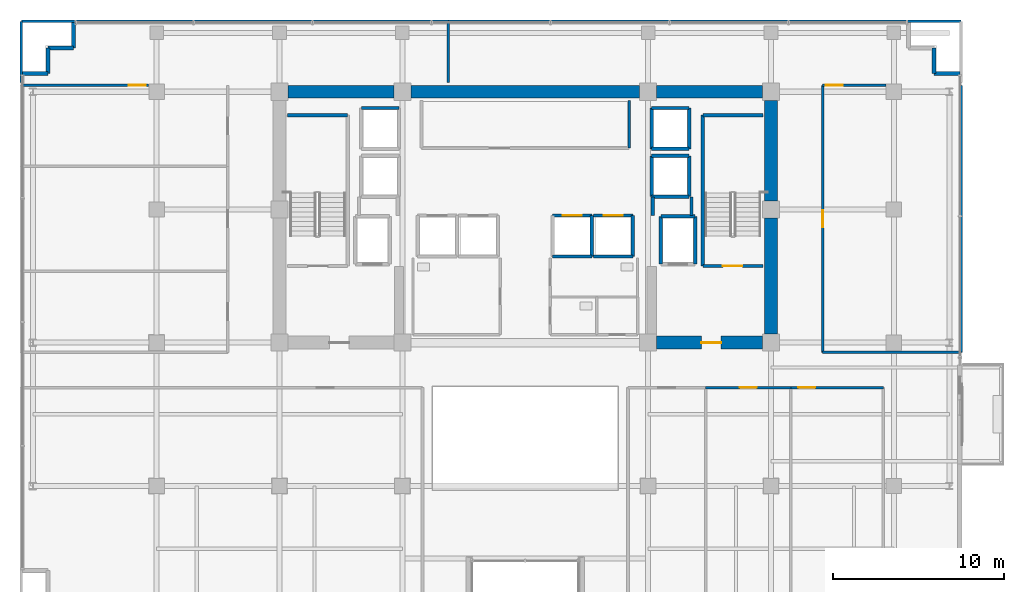
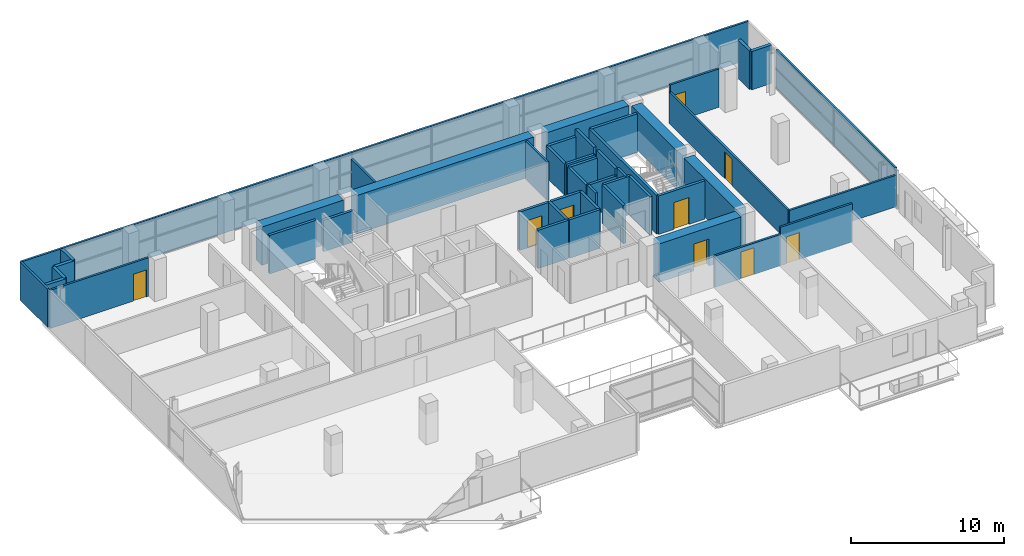
# One storey, part 21 of 27: 48 walls, 9 doors, 9 openings.
"""IFC4 building model written with IfcOpenShell, lengths in metres."""

from ifc_helpers import new_model, si_unit, direction, frame, frame_2d, origin, place, context, subcontext, project, spatial, rectangle, extrude, source, transform, mapped, material, layer, layer_set, type_object, element, fill, save


model = new_model("IFC4")

# Units and contexts
model_context = context("Model", 3, precision=1e-05, world=origin(), true_north=direction((0.0, 1.0)))
body_context = subcontext(model_context, "Body", "Model", "MODEL_VIEW")
ifc_project = project(units=[si_unit("LENGTHUNIT", "METRE"), si_unit("AREAUNIT", "SQUARE_METRE"), si_unit("VOLUMEUNIT", "CUBIC_METRE"), si_unit("PLANEANGLEUNIT", "RADIAN"), si_unit("MASSUNIT", "GRAM", prefix="KILO")], contexts=[model_context])

# Site, building, storey
site_placement = place(None, origin())
site = spatial("IfcSite", under=ifc_project, at=site_placement, CompositionType="ELEMENT")
building_placement = place(site_placement, origin())
building = spatial("IfcBuilding", under=site, at=building_placement, Name="Zarnakvel Exchange Tower", CompositionType="ELEMENT")
storey_placement = place(building_placement, frame((0.0, 0.0, 106.60009765625)))
storey = spatial("IfcBuildingStorey", under=building, at=storey_placement, Name="L29", CompositionType="ELEMENT", Elevation=106.60009765625)

# Walls
ifc_material_1 = material(Name="Concrete C60/75", Category="concrete")
ifc_layer_1 = layer(ifc_material_1, 0.75)
ifc_layer_set_1 = layer_set([ifc_layer_1], Name="Concrete C60/75")
wall_type_1 = type_object("IfcWallType", Name="CW-C3", PredefinedType="SHEAR", material=ifc_layer_set_1)
wall_1_placement = place(storey_placement, frame((-13.89990234375, 13.5, 0.0), z_axis=(0.0, 0.0, 1.0), x_axis=(1.0, 0.0, 0.0)))
element("IfcWall", 1, at=wall_1_placement, inside=storey, type_object=wall_type_1, Name="L29 Rear Core Shear Wall N1 (CW-C3)", PredefinedType="SHEAR", context=body_context, shape_type="SweptSolid", body=[
    extrude(rectangle(XDim=6.199951171875, YDim=0.75, at=frame_2d((3.10009765625, 0.0))), origin(), (0.0, 0.0, 1.0), 3.074951171875),
])
wall_2_placement = place(storey_placement, frame((-6.699951171875, 13.5, 0.0), z_axis=(0.0, 0.0, 1.0), x_axis=(1.0, 0.0, 0.0)))
element("IfcWall", 2, at=wall_2_placement, inside=storey, type_object=wall_type_1, Name="L29 Rear Core Shear Wall N2 (CW-C3)", PredefinedType="SHEAR", context=body_context, shape_type="SweptSolid", body=[
    extrude(rectangle(XDim=13.39990234375, YDim=0.75, at=frame_2d((6.699951171875, 0.0))), origin(), (0.0, 0.0, 1.0), 3.074951171875),
])
wall_3_placement = place(storey_placement, frame((7.699951171875, 13.5, 0.0), z_axis=(0.0, 0.0, 1.0), x_axis=(1.0, 0.0, 0.0)))
element("IfcWall", 3, at=wall_3_placement, inside=storey, type_object=wall_type_1, Name="L29 Rear Core Shear Wall N3 (CW-C3)", PredefinedType="SHEAR", context=body_context, shape_type="SweptSolid", body=[
    extrude(rectangle(XDim=6.199951171875, YDim=0.75, at=frame_2d((3.10009765625, 0.0))), origin(), (0.0, 0.0, 1.0), 3.074951171875),
])
wall_4_placement = place(storey_placement, frame((14.39990234375, -0.699951171875, 0.0), z_axis=(0.0, 0.0, 1.0), x_axis=(0.0, 1.0, 0.0)))
element("IfcWall", 4, at=wall_4_placement, inside=storey, type_object=wall_type_1, Name="L29 Rear Core Shear Wall E1 (CW-C3)", PredefinedType="SHEAR", context=body_context, shape_type="SweptSolid", body=[
    extrude(rectangle(XDim=6.800048828125, YDim=0.75, at=frame_2d((3.39990234375, 0.0))), origin(), (0.0, 0.0, 1.0), 3.074951171875),
])
wall_5_placement = place(storey_placement, frame((14.39990234375, 7.10009765625, 0.0), z_axis=(0.0, 0.0, 1.0), x_axis=(0.0, 1.0, 0.0)))
element("IfcWall", 5, at=wall_5_placement, inside=storey, type_object=wall_type_1, Name="L29 Rear Core Shear Wall E2 (CW-C3)", PredefinedType="SHEAR", context=body_context, shape_type="SweptSolid", body=[
    extrude(rectangle(XDim=5.89990234375, YDim=0.75, at=frame_2d((2.949951171875, 0.0))), origin(), (0.0, 0.0, 1.0), 3.074951171875),
])

# Wall, opening, door
wall_6_placement = place(storey_placement, frame((13.89990234375, -1.199951171875, 0.0), z_axis=(0.0, 0.0, 1.0), x_axis=(-1.0, 0.0, 0.0)))
wall_6 = element("IfcWall", 6, at=wall_6_placement, inside=storey, type_object=wall_type_1, Name="L29 Rear Core Shear Wall SE (CW-C3)", PredefinedType="SHEAR", context=body_context, shape_type="SweptSolid", body=[
    extrude(rectangle(XDim=6.199951171875, YDim=0.75, at=frame_2d((3.10009765625, 0.0))), origin(), (0.0, 0.0, 1.0), 3.074951171875),
])
opening_1_placement = place(wall_6_placement, frame((2.425048828125, 0.0, 0.0)))
opening_1 = element("IfcOpeningElement", 7, at=opening_1_placement, cuts=wall_6, Name="Opening D-L29-04", PredefinedType="OPENING", context=body_context, shape_type="SweptSolid", body=[
    extrude(rectangle(XDim=1.14990234375, YDim=2.14990234375, at=frame_2d((0.574951171875, 1.074951171875))), frame((0.0, 0.385009765625, 0.0), z_axis=(0.0, -1.0, 0.0), x_axis=(1.0, 0.0, 0.0)), (0.0, 0.0, 1.0), 0.77001953125),
])
ifc_material_2 = material(Name="Painted Galvanised Steel S355", Category="steel")
door_type_1 = type_object("IfcDoorType", Name="DT-04", OperationType="NOTDEFINED", PredefinedType="DOOR", material=ifc_material_2)
shared_shape_1 = source(origin(), body_context, "Body", "SweptSolid", [
    extrude(rectangle(XDim=1.14990234375, YDim=2.14990234375, at=frame_2d((0.574951171875, 1.074951171875))), frame((0.0, 0.02490234375, 0.0), z_axis=(0.0, -1.0, 0.0), x_axis=(1.0, 0.0, 0.0)), (0.0, 0.0, 1.0), 0.050048828125),
])
door_1_placement = place(opening_1_placement, origin())
door_1 = element("IfcDoor", 8, at=door_1_placement, inside=storey, type_object=door_type_1, Name="L29 Firefighting Lobby East Door D-L29-04", OperationType="SINGLE_SWING_RIGHT", OverallHeight=2.14990234375, OverallWidth=1.14990234375, PredefinedType="DOOR", context=body_context, shape_type="MappedRepresentation", body=[
    mapped(shared_shape_1, transform((0.0, 0.0, 0.0), x_axis=(1.0, 0.0, 0.0), y_axis=(0.0, 1.0, 0.0), z_axis=(0.0, 0.0, 1.0), scale=1.0)),
])
fill(opening_1, door_1)

# Walls
ifc_material_3 = material(Name="Precast concrete C40/50", Category="concrete")
ifc_layer_2 = layer(ifc_material_3, 0.239990234375)
ifc_layer_set_2 = layer_set([ifc_layer_2], Name="Precast concrete C40/50")
wall_type_2 = type_object("IfcWallType", Name="EW-02", PredefinedType="SOLIDWALL", material=ifc_layer_set_2)
for number, where, z_axis, x_axis, name in (
    (9, (-27.9599609375, 14.56005859375, 0.0), (0.0, 0.0, 1.0), (-1.0, 0.0, 0.0), "L29 Exterior Precast Spandrel Wall EWC-L29-01 (EW-02)"),
    (10, (-27.9599609375, 16.06005859375, 0.0), (0.0, 0.0, 1.0), (0.0, -1.0, 0.0), "L29 Exterior Precast Spandrel Wall EWC-L29-02 (EW-02)"),
    (11, (-26.4599609375, 16.06005859375, 0.0), (0.0, 0.0, 1.0), (-1.0, 0.0, 0.0), "L29 Exterior Precast Spandrel Wall EWC-L29-03 (EW-02)"),
    (12, (-26.4599609375, 17.56005859375, 0.0), (0.0, 0.0, 1.0), (0.0, -1.0, 0.0), "L29 Exterior Precast Spandrel Wall EWC-L29-04 (EW-02)"),
    (13, (23.9599609375, 14.56005859375, 0.0), (0.0, 0.0, 1.0), (0.0, 1.0, 0.0), "L29 Exterior Precast Spandrel Wall EWC-L29-07 (EW-02)"),
    (14, (25.4599609375, 14.56005859375, 0.0), (0.0, 0.0, 1.0), (-1.0, 0.0, 0.0), "L29 Exterior Precast Spandrel Wall EWC-L29-08 (EW-02)"),
):
    element("IfcWall", number, at=place(storey_placement, frame(where, z_axis=z_axis, x_axis=x_axis)), inside=storey, type_object=wall_type_2, Name=name, PredefinedType="SOLIDWALL", context=body_context, shape_type="SweptSolid", body=[
        extrude(rectangle(XDim=1.5, YDim=0.239990234375, at=frame_2d((0.75, 0.0))), origin(), (0.0, 0.0, 1.0), 3.074951171875),
    ])
ifc_material_4 = material(Name="Fire-Rated Gypsum Stud Partition", Category="gypsum")
ifc_layer_3 = layer(ifc_material_4, 0.14990234375)
ifc_layer_set_3 = layer_set([ifc_layer_3], Name="Fire-Rated Gypsum Stud Partition")
wall_type_3 = type_object("IfcWallType", Name="PT-01", PredefinedType="PARTITIONING", material=ifc_layer_set_3)
wall_7_placement = place(storey_placement, frame((6.080078125, 13.0, 0.0), z_axis=(0.0, 0.0, 1.0), x_axis=(0.0, -1.0, 0.0)))
element("IfcWall", 15, at=wall_7_placement, inside=storey, type_object=wall_type_3, Name="L29 Partition Wall PWALL-L29-013 (PT-01)", PredefinedType="PARTITIONING", context=body_context, shape_type="SweptSolid", body=[
    extrude(rectangle(XDim=2.800048828125, YDim=0.14990234375, at=frame_2d((1.39990234375, 0.0))), origin(), (0.0, 0.0, 1.0), 3.074951171875),
])

# Wall, opening, door
wall_8_placement = place(storey_placement, frame((10.568359375, -3.830078125, 0.0), z_axis=(0.0, 0.0, 1.0), x_axis=(1.0, 0.0, 0.0)))
wall_8 = element("IfcWall", 16, at=wall_8_placement, inside=storey, type_object=wall_type_3, Name="L29 Partition Wall PWALL-L29-034 (PT-01)", PredefinedType="PARTITIONING", context=body_context, shape_type="SweptSolid", body=[
    extrude(rectangle(XDim=4.9873046875, YDim=0.14990234375, at=frame_2d((2.49365234375, 0.0))), origin(), (0.0, 0.0, 1.0), 2.514892578125),
])
opening_2_placement = place(wall_8_placement, frame((2.003662109375, 0.0, 0.0)))
opening_2 = element("IfcOpeningElement", 17, at=opening_2_placement, cuts=wall_8, Name="Opening D-L29-12", PredefinedType="OPENING", context=body_context, shape_type="SweptSolid", body=[
    extrude(rectangle(XDim=0.97998046875, YDim=2.14990234375, at=frame_2d((0.489990234375, 1.074951171875))), frame((0.0, 0.0849609375, 0.0), z_axis=(0.0, -1.0, 0.0), x_axis=(1.0, 0.0, 0.0)), (0.0, 0.0, 1.0), 0.169921875),
])
ifc_material_5 = material(Name="Timber Acoustic Veneer", Category="wood")
door_type_2 = type_object("IfcDoorType", Name="DT-05", OperationType="NOTDEFINED", PredefinedType="DOOR", material=ifc_material_5)
shared_shape_2 = source(origin(), body_context, "Body", "SweptSolid", [
    extrude(rectangle(XDim=0.97998046875, YDim=2.14990234375, at=frame_2d((0.489990234375, 1.074951171875))), frame((0.0, 0.02490234375, 0.0), z_axis=(0.0, -1.0, 0.0), x_axis=(1.0, 0.0, 0.0)), (0.0, 0.0, 1.0), 0.050048828125),
])
door_2_placement = place(opening_2_placement, origin())
door_2 = element("IfcDoor", 18, at=door_2_placement, inside=storey, type_object=door_type_2, Name="L29 Executive Suite Door D-L29-12", OperationType="SINGLE_SWING_RIGHT", OverallHeight=2.14990234375, OverallWidth=0.97998046875, PredefinedType="DOOR", context=body_context, shape_type="MappedRepresentation", body=[
    mapped(shared_shape_2, transform((0.0, 0.0, 0.0), x_axis=(1.0, 0.0, 0.0), y_axis=(0.0, 1.0, 0.0), z_axis=(0.0, 0.0, 1.0), scale=1.0)),
])
fill(opening_2, door_2)

wall_9_placement = place(storey_placement, frame((15.5556640625, -3.830078125, 0.0), z_axis=(0.0, 0.0, 1.0), x_axis=(1.0, 0.0, 0.0)))
wall_9 = element("IfcWall", 19, at=wall_9_placement, inside=storey, type_object=wall_type_3, Name="L29 Partition Wall PWALL-L29-037 (PT-01)", PredefinedType="PARTITIONING", context=body_context, shape_type="SweptSolid", body=[
    extrude(rectangle(XDim=5.426025390625, YDim=0.14990234375, at=frame_2d((2.712890625, 0.0))), origin(), (0.0, 0.0, 1.0), 3.074951171875),
])
opening_3_placement = place(wall_9_placement, frame((0.447509765625, 0.0, 0.0)))
opening_3 = element("IfcOpeningElement", 20, at=opening_3_placement, cuts=wall_9, Name="Opening D-L29-13", PredefinedType="OPENING", context=body_context, shape_type="SweptSolid", body=[
    extrude(rectangle(XDim=0.97998046875, YDim=2.14990234375, at=frame_2d((0.489990234375, 1.074951171875))), frame((0.0, 0.0849609375, 0.0), z_axis=(0.0, -1.0, 0.0), x_axis=(1.0, 0.0, 0.0)), (0.0, 0.0, 1.0), 0.169921875),
])
door_3_placement = place(opening_3_placement, origin())
door_3 = element("IfcDoor", 21, at=door_3_placement, inside=storey, type_object=door_type_2, Name="L29 Staff Pantry Door D-L29-13", OperationType="SINGLE_SWING_LEFT", OverallHeight=2.14990234375, OverallWidth=0.97998046875, PredefinedType="DOOR", context=body_context, shape_type="MappedRepresentation", body=[
    mapped(shared_shape_2, transform((0.0, 0.0, 0.0), x_axis=(1.0, 0.0, 0.0), y_axis=(0.0, 1.0, 0.0), z_axis=(0.0, 0.0, 1.0), scale=1.0)),
])
fill(opening_3, door_3)

wall_10_placement = place(storey_placement, frame((-29.530029296875, 13.8798828125, 0.0), z_axis=(0.0, 0.0, 1.0), x_axis=(1.0, 0.0, 0.0)))
wall_10 = element("IfcWall", 22, at=wall_10_placement, inside=storey, type_object=wall_type_3, Name="L29 Partition Wall PWALL-L29-046 (PT-01)", PredefinedType="PARTITIONING", context=body_context, shape_type="SweptSolid", body=[
    extrude(rectangle(XDim=7.4599609375, YDim=0.14990234375, at=frame_2d((3.72998046875, 0.0))), origin(), (0.0, 0.0, 1.0), 3.074951171875),
])
opening_4_placement = place(wall_10_placement, frame((6.300048828125, 0.0, 0.0)))
opening_4 = element("IfcOpeningElement", 23, at=opening_4_placement, cuts=wall_10, Name="Opening D-L29-18", PredefinedType="OPENING", context=body_context, shape_type="SweptSolid", body=[
    extrude(rectangle(XDim=0.97998046875, YDim=2.14990234375, at=frame_2d((0.489990234375, 1.074951171875))), frame((0.0, 0.0849609375, 0.0), z_axis=(0.0, -1.0, 0.0), x_axis=(1.0, 0.0, 0.0)), (0.0, 0.0, 1.0), 0.169921875),
])
door_4_placement = place(opening_4_placement, origin())
door_4 = element("IfcDoor", 24, at=door_4_placement, inside=storey, type_object=door_type_2, Name="L29 Compliance Office Door D-L29-18", OperationType="SINGLE_SWING_RIGHT", OverallHeight=2.14990234375, OverallWidth=0.97998046875, PredefinedType="DOOR", context=body_context, shape_type="MappedRepresentation", body=[
    mapped(shared_shape_2, transform((0.0, 0.0, 0.0), x_axis=(1.0, 0.0, 0.0), y_axis=(0.0, 1.0, 0.0), z_axis=(0.0, 0.0, 1.0), scale=1.0)),
])
fill(opening_4, door_4)

# Wall
wall_11_placement = place(storey_placement, frame((25.530029296875, -1.77001953125, 0.0), z_axis=(0.0, 0.0, 1.0), x_axis=(-1.0, 0.0, 0.0)))
element("IfcWall", 25, at=wall_11_placement, inside=storey, type_object=wall_type_3, Name="L29 Partition Wall PWALL-L29-049 (PT-01)", PredefinedType="PARTITIONING", context=body_context, shape_type="SweptSolid", body=[
    extrude(rectangle(XDim=8.10009765625, YDim=0.14990234375, at=frame_2d((4.050048828125, 0.0))), origin(), (0.0, 0.0, 1.0), 2.514892578125),
])

# Wall, opening, door
wall_12_placement = place(storey_placement, frame((17.429931640625, 13.8798828125, 0.0), z_axis=(0.0, 0.0, 1.0), x_axis=(1.0, 0.0, 0.0)))
wall_12 = element("IfcWall", 26, at=wall_12_placement, inside=storey, type_object=wall_type_3, Name="L29 Partition Wall PWALL-L29-050 (PT-01)", PredefinedType="PARTITIONING", context=body_context, shape_type="SweptSolid", body=[
    extrude(rectangle(XDim=3.699951171875, YDim=0.14990234375, at=frame_2d((1.85009765625, 0.0))), origin(), (0.0, 0.0, 1.0), 3.074951171875),
])
opening_5_placement = place(wall_12_placement, frame((0.179931640625, 0.0, 0.0)))
opening_5 = element("IfcOpeningElement", 27, at=opening_5_placement, cuts=wall_12, Name="Opening D-L29-19", PredefinedType="OPENING", context=body_context, shape_type="SweptSolid", body=[
    extrude(rectangle(XDim=0.97998046875, YDim=2.14990234375, at=frame_2d((0.489990234375, 1.074951171875))), frame((0.0, 0.0849609375, 0.0), z_axis=(0.0, -1.0, 0.0), x_axis=(1.0, 0.0, 0.0)), (0.0, 0.0, 1.0), 0.169921875),
])
door_5_placement = place(opening_5_placement, origin())
door_5 = element("IfcDoor", 28, at=door_5_placement, inside=storey, type_object=door_type_2, Name="L29 Client Lounge Door D-L29-19", OperationType="SINGLE_SWING_LEFT", OverallHeight=2.14990234375, OverallWidth=0.97998046875, PredefinedType="DOOR", context=body_context, shape_type="MappedRepresentation", body=[
    mapped(shared_shape_2, transform((0.0, 0.0, 0.0), x_axis=(1.0, 0.0, 0.0), y_axis=(0.0, 1.0, 0.0), z_axis=(0.0, 0.0, 1.0), scale=1.0)),
])
fill(opening_5, door_5)

wall_13_placement = place(storey_placement, frame((17.429931640625, -1.77001953125, 0.0), z_axis=(0.0, 0.0, 1.0), x_axis=(0.0, 1.0, 0.0)))
wall_13 = element("IfcWall", 29, at=wall_13_placement, inside=storey, type_object=wall_type_3, Name="L29 Partition Wall PWALL-L29-051 (PT-01)", PredefinedType="PARTITIONING", context=body_context, shape_type="SweptSolid", body=[
    extrude(rectangle(XDim=15.64990234375, YDim=0.14990234375, at=frame_2d((7.824951171875, 0.0))), origin(), (0.0, 0.0, 1.0), 2.514892578125),
])
opening_6_placement = place(wall_13_placement, frame((7.3349609375, 0.0, 0.0)))
opening_6 = element("IfcOpeningElement", 30, at=opening_6_placement, cuts=wall_13, Name="Opening D-L29-17", PredefinedType="OPENING", context=body_context, shape_type="SweptSolid", body=[
    extrude(rectangle(XDim=0.97998046875, YDim=2.14990234375, at=frame_2d((0.489990234375, 1.074951171875))), frame((0.0, 0.0849609375, 0.0), z_axis=(0.0, -1.0, 0.0), x_axis=(1.0, 0.0, 0.0)), (0.0, 0.0, 1.0), 0.169921875),
])
door_6_placement = place(opening_6_placement, origin())
door_6 = element("IfcDoor", 31, at=door_6_placement, inside=storey, type_object=door_type_2, Name="L29 Staff Pantry Door D-L29-17", OperationType="SINGLE_SWING_LEFT", OverallHeight=2.14990234375, OverallWidth=0.97998046875, PredefinedType="DOOR", context=body_context, shape_type="MappedRepresentation", body=[
    mapped(shared_shape_2, transform((0.0, 0.0, 0.0), x_axis=(1.0, 0.0, 0.0), y_axis=(0.0, 1.0, 0.0), z_axis=(0.0, 0.0, 1.0), scale=1.0)),
])
fill(opening_6, door_6)

# Walls
wall_14_placement = place(storey_placement, frame((25.530029296875, 13.8798828125, 0.0), z_axis=(0.0, 0.0, 1.0), x_axis=(0.0, -1.0, 0.0)))
element("IfcWall", 32, at=wall_14_placement, inside=storey, type_object=wall_type_3, Name="L29 Partition Wall PWALL-L29-052 (PT-01)", PredefinedType="PARTITIONING", context=body_context, shape_type="SweptSolid", body=[
    extrude(rectangle(XDim=15.64990234375, YDim=0.14990234375, at=frame_2d((7.824951171875, 0.0))), origin(), (0.0, 0.0, 1.0), 3.074951171875),
])
wall_15_placement = place(storey_placement, frame((-29.530029296875, 17.6298828125, 0.0), z_axis=(0.0, 0.0, 1.0), x_axis=(1.0, 0.0, 0.0)))
element("IfcWall", 33, at=wall_15_placement, inside=storey, type_object=wall_type_3, Name="L29 Partition Wall PWALL-L29-053 (PT-01)", PredefinedType="PARTITIONING", context=body_context, shape_type="SweptSolid", body=[
    extrude(rectangle(XDim=25.030029296875, YDim=0.14990234375, at=frame_2d((12.51513671875, 0.0))), origin(), (0.0, 0.0, 1.0), 3.074951171875),
])
wall_16_placement = place(storey_placement, frame((-29.530029296875, 14.030029296875, 0.0), z_axis=(0.0, 0.0, 1.0), x_axis=(0.0, 1.0, 0.0)))
element("IfcWall", 34, at=wall_16_placement, inside=storey, type_object=wall_type_3, Name="L29 Partition Wall PWALL-L29-054 (PT-01)", PredefinedType="PARTITIONING", context=body_context, shape_type="SweptSolid", body=[
    extrude(rectangle(XDim=3.599853515625, YDim=0.14990234375, at=frame_2d((1.7998046875, 0.0))), origin(), (0.0, 0.0, 1.0), 3.074951171875),
])
wall_17_placement = place(storey_placement, frame((-4.5, 17.6298828125, 0.0), z_axis=(0.0, 0.0, 1.0), x_axis=(0.0, -1.0, 0.0)))
element("IfcWall", 35, at=wall_17_placement, inside=storey, type_object=wall_type_3, Name="L29 Partition Wall PWALL-L29-055 (PT-01)", PredefinedType="PARTITIONING", context=body_context, shape_type="SweptSolid", body=[
    extrude(rectangle(XDim=3.599853515625, YDim=0.14990234375, at=frame_2d((1.7998046875, 0.0))), origin(), (0.0, 0.0, 1.0), 2.56494140625),
])
wall_18_placement = place(storey_placement, frame((-4.5, 17.6298828125, 0.0), z_axis=(0.0, 0.0, 1.0), x_axis=(1.0, 0.0, 0.0)))
element("IfcWall", 36, at=wall_18_placement, inside=storey, type_object=wall_type_3, Name="L29 Partition Wall PWALL-L29-056 (PT-01)", PredefinedType="PARTITIONING", context=body_context, shape_type="SweptSolid", body=[
    extrude(rectangle(XDim=30.030029296875, YDim=0.14990234375, at=frame_2d((15.01513671875, 0.0))), origin(), (0.0, 0.0, 1.0), 3.074951171875),
])
ifc_layer_4 = layer(ifc_material_4, 0.179931640625)
ifc_layer_set_4 = layer_set([ifc_layer_4], Name="Fire-Rated Gypsum Stud Partition")
wall_type_4 = type_object("IfcWallType", Name="PT-02", PredefinedType="PARTITIONING", material=ifc_layer_set_4)
wall_19_placement = place(storey_placement, frame((7.469970703125, 6.239990234375, 0.0), z_axis=(0.0, 0.0, 1.0), x_axis=(0.0, 1.0, 0.0)))
element("IfcWall", 37, at=wall_19_placement, inside=storey, type_object=wall_type_4, Name="L29 Partition Wall PWALL-L29-009 (PT-02)", PredefinedType="PARTITIONING", context=body_context, shape_type="SweptSolid", body=[
    extrude(rectangle(XDim=1.090087890625, YDim=0.179931640625, at=frame_2d((0.544921875, 0.0))), origin(), (0.0, 0.0, 1.0), 2.514892578125),
])
wall_20_placement = place(storey_placement, frame((9.72998046875, 7.330078125, 0.0), z_axis=(0.0, 0.0, 1.0), x_axis=(0.0, -1.0, 0.0)))
element("IfcWall", 38, at=wall_20_placement, inside=storey, type_object=wall_type_4, Name="L29 Partition Wall PWALL-L29-010 (PT-02)", PredefinedType="PARTITIONING", context=body_context, shape_type="SweptSolid", body=[
    extrude(rectangle(XDim=1.090087890625, YDim=0.179931640625, at=frame_2d((0.544921875, 0.0))), origin(), (0.0, 0.0, 1.0), 3.074951171875),
])
ifc_material_6 = material(Name="Concrete C40/50", Category="concrete")
ifc_layer_5 = layer(ifc_material_6, 0.199951171875)
ifc_layer_set_5 = layer_set([ifc_layer_5], Name="Concrete C40/50")
wall_type_5 = type_object("IfcWallType", Name="SW-01", PredefinedType="SOLIDWALL", material=ifc_layer_set_5)
wall_21_placement = place(storey_placement, frame((7.949951171875, 6.199951171875, 0.0), z_axis=(0.0, 0.0, 1.0), x_axis=(1.0, 0.0, 0.0)))
element("IfcWall", 39, at=wall_21_placement, inside=storey, type_object=wall_type_5, Name="L29 FL-02 Hoistway Wall North", PredefinedType="SOLIDWALL", context=body_context, shape_type="SweptSolid", body=[
    extrude(rectangle(XDim=2.0, YDim=0.199951171875, at=frame_2d((1.0, 0.0))), origin(), (0.0, 0.0, 1.0), 3.074951171875),
])
for number, where, z_axis, x_axis, name in (
    (40, (7.949951171875, 3.39990234375, 0.0), (0.0, 0.0, 1.0), (0.0, 1.0, 0.0), "L29 FL-02 Hoistway Wall West"),
    (41, (9.949951171875, 6.199951171875, 0.0), (0.0, 0.0, 1.0), (0.0, -1.0, 0.0), "L29 FL-02 Hoistway Wall East"),
):
    element("IfcWall", number, at=place(storey_placement, frame(where, z_axis=z_axis, x_axis=x_axis)), inside=storey, type_object=wall_type_5, Name=name, PredefinedType="SOLIDWALL", context=body_context, shape_type="SweptSolid", body=[
        extrude(rectangle(XDim=2.800048828125, YDim=0.199951171875, at=frame_2d((1.39990234375, 0.0))), origin(), (0.0, 0.0, 1.0), 3.074951171875),
    ])
wall_22_placement = place(storey_placement, frame((3.89990234375, 3.85009765625, 0.0), z_axis=(0.0, 0.0, 1.0), x_axis=(-1.0, 0.0, 0.0)))
element("IfcWall", 42, at=wall_22_placement, inside=storey, type_object=wall_type_5, Name="L29 PL-07 Hoistway Wall South", PredefinedType="SOLIDWALL", context=body_context, shape_type="SweptSolid", body=[
    extrude(rectangle(XDim=2.2998046875, YDim=0.199951171875, at=frame_2d((1.14990234375, 0.0))), origin(), (0.0, 0.0, 1.0), 3.074951171875),
])

# Wall, opening, door
wall_23_placement = place(storey_placement, frame((1.60009765625, 6.25, 0.0), z_axis=(0.0, 0.0, 1.0), x_axis=(1.0, 0.0, 0.0)))
wall_23 = element("IfcWall", 43, at=wall_23_placement, inside=storey, type_object=wall_type_5, Name="L29 PL-07 Hoistway Wall North", PredefinedType="SOLIDWALL", context=body_context, shape_type="SweptSolid", body=[
    extrude(rectangle(XDim=2.2998046875, YDim=0.199951171875, at=frame_2d((1.14990234375, 0.0))), origin(), (0.0, 0.0, 1.0), 3.074951171875),
])
opening_7_placement = place(wall_23_placement, frame((0.60009765625, 0.0, 0.0)))
opening_7 = element("IfcOpeningElement", 44, at=opening_7_placement, cuts=wall_23, Name="Opening LD-PL-07-L29", PredefinedType="OPENING", context=body_context, shape_type="SweptSolid", body=[
    extrude(rectangle(XDim=1.10009765625, YDim=2.199951171875, at=frame_2d((0.550048828125, 1.10009765625))), frame((0.0, 0.10986328125, 0.0), z_axis=(0.0, -1.0, 0.0), x_axis=(1.0, 0.0, 0.0)), (0.0, 0.0, 1.0), 0.219970703125),
])
ifc_material_7 = material(Name="Architectural Bronze Anodised Aluminium", Category="aluminium")
door_type_3 = type_object("IfcDoorType", Name="LDT-02", OperationType="NOTDEFINED", PredefinedType="DOOR", material=ifc_material_7)
shared_shape_3 = source(origin(), body_context, "Body", "SweptSolid", [
    extrude(rectangle(XDim=1.10009765625, YDim=2.199951171875, at=frame_2d((0.550048828125, 1.10009765625))), frame((0.0, 0.02490234375, 0.0), z_axis=(0.0, -1.0, 0.0), x_axis=(1.0, 0.0, 0.0)), (0.0, 0.0, 1.0), 0.050048828125),
])
door_7_placement = place(opening_7_placement, origin())
door_7 = element("IfcDoor", 45, at=door_7_placement, inside=storey, type_object=door_type_3, Name="L29 PL-07 Lift Landing Door LD-PL-07-L29", OperationType="DOUBLE_DOOR_SLIDING", OverallHeight=2.199951171875, OverallWidth=1.10009765625, PredefinedType="DOOR", context=body_context, shape_type="MappedRepresentation", body=[
    mapped(shared_shape_3, transform((0.0, 0.0, 0.0), x_axis=(1.0, 0.0, 0.0), y_axis=(0.0, 1.0, 0.0), z_axis=(0.0, 0.0, 1.0), scale=1.0)),
])
fill(opening_7, door_7)

# Walls
wall_24_placement = place(storey_placement, frame((3.89990234375, 6.25, 0.0), z_axis=(0.0, 0.0, 1.0), x_axis=(0.0, -1.0, 0.0)))
element("IfcWall", 46, at=wall_24_placement, inside=storey, type_object=wall_type_5, Name="L29 PL-07 Hoistway Wall East", PredefinedType="SOLIDWALL", context=body_context, shape_type="SweptSolid", body=[
    extrude(rectangle(XDim=2.39990234375, YDim=0.199951171875, at=frame_2d((1.199951171875, 0.0))), origin(), (0.0, 0.0, 1.0), 3.074951171875),
])
wall_25_placement = place(storey_placement, frame((6.300048828125, 3.85009765625, 0.0), z_axis=(0.0, 0.0, 1.0), x_axis=(-1.0, 0.0, 0.0)))
element("IfcWall", 47, at=wall_25_placement, inside=storey, type_object=wall_type_5, Name="L29 PL-08 Hoistway Wall South", PredefinedType="SOLIDWALL", context=body_context, shape_type="SweptSolid", body=[
    extrude(rectangle(XDim=2.300048828125, YDim=0.199951171875, at=frame_2d((1.14990234375, 0.0))), origin(), (0.0, 0.0, 1.0), 3.074951171875),
])

# Wall, opening, door
wall_26_placement = place(storey_placement, frame((4.0, 6.25, 0.0), z_axis=(0.0, 0.0, 1.0), x_axis=(1.0, 0.0, 0.0)))
wall_26 = element("IfcWall", 48, at=wall_26_placement, inside=storey, type_object=wall_type_5, Name="L29 PL-08 Hoistway Wall North", PredefinedType="SOLIDWALL", context=body_context, shape_type="SweptSolid", body=[
    extrude(rectangle(XDim=2.300048828125, YDim=0.199951171875, at=frame_2d((1.14990234375, 0.0))), origin(), (0.0, 0.0, 1.0), 3.074951171875),
])
opening_8_placement = place(wall_26_placement, frame((0.60009765625, 0.0, 0.0)))
opening_8 = element("IfcOpeningElement", 49, at=opening_8_placement, cuts=wall_26, Name="Opening LD-PL-08-L29", PredefinedType="OPENING", context=body_context, shape_type="SweptSolid", body=[
    extrude(rectangle(XDim=1.10009765625, YDim=2.199951171875, at=frame_2d((0.550048828125, 1.10009765625))), frame((0.0, 0.10986328125, 0.0), z_axis=(0.0, -1.0, 0.0), x_axis=(1.0, 0.0, 0.0)), (0.0, 0.0, 1.0), 0.219970703125),
])
door_8_placement = place(opening_8_placement, origin())
door_8 = element("IfcDoor", 50, at=door_8_placement, inside=storey, type_object=door_type_3, Name="L29 PL-08 Lift Landing Door LD-PL-08-L29", OperationType="DOUBLE_DOOR_SLIDING", OverallHeight=2.199951171875, OverallWidth=1.10009765625, PredefinedType="DOOR", context=body_context, shape_type="MappedRepresentation", body=[
    mapped(shared_shape_3, transform((0.0, 0.0, 0.0), x_axis=(1.0, 0.0, 0.0), y_axis=(0.0, 1.0, 0.0), z_axis=(0.0, 0.0, 1.0), scale=1.0)),
])
fill(opening_8, door_8)

# Walls
wall_27_placement = place(storey_placement, frame((6.300048828125, 6.25, 0.0), z_axis=(0.0, 0.0, 1.0), x_axis=(0.0, -1.0, 0.0)))
element("IfcWall", 51, at=wall_27_placement, inside=storey, type_object=wall_type_5, Name="L29 PL-08 Hoistway Wall East", PredefinedType="SOLIDWALL", context=body_context, shape_type="SweptSolid", body=[
    extrude(rectangle(XDim=2.39990234375, YDim=0.199951171875, at=frame_2d((1.199951171875, 0.0))), origin(), (0.0, 0.0, 1.0), 3.074951171875),
])
for number, where, z_axis, x_axis, name in (
    (52, (-9.60009765625, 12.550048828125, 0.0), (0.0, 0.0, 1.0), (1.0, 0.0, 0.0), "L29 PL-10 Hoistway Wall North"),
    (53, (9.60009765625, 7.35009765625, 0.0), (0.0, 0.0, 1.0), (-1.0, 0.0, 0.0), "L29 PL-11 Hoistway Wall South"),
    (54, (7.39990234375, 9.75, 0.0), (0.0, 0.0, 1.0), (1.0, 0.0, 0.0), "L29 PL-11 Hoistway Wall North"),
):
    element("IfcWall", number, at=place(storey_placement, frame(where, z_axis=z_axis, x_axis=x_axis)), inside=storey, type_object=wall_type_5, Name=name, PredefinedType="SOLIDWALL", context=body_context, shape_type="SweptSolid", body=[
        extrude(rectangle(XDim=2.2001953125, YDim=0.199951171875, at=frame_2d((1.10009765625, 0.0))), origin(), (0.0, 0.0, 1.0), 2.514892578125),
    ])
wall_28_placement = place(storey_placement, frame((7.39990234375, 7.35009765625, 0.0), z_axis=(0.0, 0.0, 1.0), x_axis=(0.0, 1.0, 0.0)))
element("IfcWall", 55, at=wall_28_placement, inside=storey, type_object=wall_type_5, Name="L29 PL-11 Hoistway Wall West", PredefinedType="SOLIDWALL", context=body_context, shape_type="SweptSolid", body=[
    extrude(rectangle(XDim=2.39990234375, YDim=0.199951171875, at=frame_2d((1.199951171875, 0.0))), origin(), (0.0, 0.0, 1.0), 2.514892578125),
])
wall_29_placement = place(storey_placement, frame((9.60009765625, 9.75, 0.0), z_axis=(0.0, 0.0, 1.0), x_axis=(0.0, -1.0, 0.0)))
element("IfcWall", 56, at=wall_29_placement, inside=storey, type_object=wall_type_5, Name="L29 PL-11 Hoistway Wall East", PredefinedType="SOLIDWALL", context=body_context, shape_type="SweptSolid", body=[
    extrude(rectangle(XDim=2.39990234375, YDim=0.199951171875, at=frame_2d((1.199951171875, 0.0))), origin(), (0.0, 0.0, 1.0), 3.074951171875),
])
for number, where, z_axis, x_axis, name in (
    (57, (9.60009765625, 10.14990234375, 0.0), (0.0, 0.0, 1.0), (-1.0, 0.0, 0.0), "L29 PL-12 Hoistway Wall South"),
    (58, (7.39990234375, 12.550048828125, 0.0), (0.0, 0.0, 1.0), (1.0, 0.0, 0.0), "L29 PL-12 Hoistway Wall North"),
):
    element("IfcWall", number, at=place(storey_placement, frame(where, z_axis=z_axis, x_axis=x_axis)), inside=storey, type_object=wall_type_5, Name=name, PredefinedType="SOLIDWALL", context=body_context, shape_type="SweptSolid", body=[
        extrude(rectangle(XDim=2.2001953125, YDim=0.199951171875, at=frame_2d((1.10009765625, 0.0))), origin(), (0.0, 0.0, 1.0), 2.514892578125),
    ])
wall_30_placement = place(storey_placement, frame((7.39990234375, 10.14990234375, 0.0), z_axis=(0.0, 0.0, 1.0), x_axis=(0.0, 1.0, 0.0)))
element("IfcWall", 59, at=wall_30_placement, inside=storey, type_object=wall_type_5, Name="L29 PL-12 Hoistway Wall West", PredefinedType="SOLIDWALL", context=body_context, shape_type="SweptSolid", body=[
    extrude(rectangle(XDim=2.400146484375, YDim=0.199951171875, at=frame_2d((1.2001953125, 0.0))), origin(), (0.0, 0.0, 1.0), 2.514892578125),
])
wall_31_placement = place(storey_placement, frame((9.60009765625, 12.550048828125, 0.0), z_axis=(0.0, 0.0, 1.0), x_axis=(0.0, -1.0, 0.0)))
element("IfcWall", 60, at=wall_31_placement, inside=storey, type_object=wall_type_5, Name="L29 PL-12 Hoistway Wall East", PredefinedType="SOLIDWALL", context=body_context, shape_type="SweptSolid", body=[
    extrude(rectangle(XDim=2.400146484375, YDim=0.199951171875, at=frame_2d((1.2001953125, 0.0))), origin(), (0.0, 0.0, 1.0), 3.074951171875),
])
ifc_layer_6 = layer(ifc_material_6, 0.199951171875)
ifc_layer_set_6 = layer_set([ifc_layer_6], Name="Concrete C40/50")
wall_type_6 = type_object("IfcWallType", Name="SW-02", PredefinedType="SOLIDWALL", material=ifc_layer_set_6)
wall_32_placement = place(storey_placement, frame((-13.929931640625, 12.1298828125, 0.0), z_axis=(0.0, 0.0, 1.0), x_axis=(1.0, 0.0, 0.0)))
element("IfcWall", 61, at=wall_32_placement, inside=storey, type_object=wall_type_6, Name="L29 Stairwell Core Wall PWALL-L29-002 (SW-02)", PredefinedType="SOLIDWALL", context=body_context, shape_type="SweptSolid", body=[
    extrude(rectangle(XDim=3.52001953125, YDim=0.199951171875, at=frame_2d((1.760009765625, 0.0))), origin(), (0.0, 0.0, 1.0), 3.074951171875),
])

# Wall, opening, door
wall_33_placement = place(storey_placement, frame((13.929931640625, 3.2900390625, 0.0), z_axis=(0.0, 0.0, 1.0), x_axis=(-1.0, 0.0, 0.0)))
wall_33 = element("IfcWall", 62, at=wall_33_placement, inside=storey, type_object=wall_type_6, Name="L29 Stairwell Core Wall PWALL-L29-004 (SW-02)", PredefinedType="SOLIDWALL", context=body_context, shape_type="SweptSolid", body=[
    extrude(rectangle(XDim=3.52001953125, YDim=0.199951171875, at=frame_2d((1.760009765625, 0.0))), origin(), (0.0, 0.0, 1.0), 3.074951171875),
])
opening_9_placement = place(wall_33_placement, frame((1.205078125, 0.0, 0.0)))
opening_9 = element("IfcOpeningElement", 63, at=opening_9_placement, cuts=wall_33, Name="Opening D-L29-02", PredefinedType="OPENING", context=body_context, shape_type="SweptSolid", body=[
    extrude(rectangle(XDim=1.14990234375, YDim=2.14990234375, at=frame_2d((0.574951171875, 1.074951171875))), frame((0.0, 0.10986328125, 0.0), z_axis=(0.0, -1.0, 0.0), x_axis=(1.0, 0.0, 0.0)), (0.0, 0.0, 1.0), 0.219970703125),
])
door_9_placement = place(opening_9_placement, origin())
door_9 = element("IfcDoor", 64, at=door_9_placement, inside=storey, type_object=door_type_1, Name="L29 Stairwell ST-02 Door D-L29-02", OperationType="SINGLE_SWING_RIGHT", OverallHeight=2.14990234375, OverallWidth=1.14990234375, PredefinedType="DOOR", context=body_context, shape_type="MappedRepresentation", body=[
    mapped(shared_shape_1, transform((0.0, 0.0, 0.0), x_axis=(1.0, 0.0, 0.0), y_axis=(0.0, 1.0, 0.0), z_axis=(0.0, 0.0, 1.0), scale=1.0)),
])
fill(opening_9, door_9)

# Walls
wall_34_placement = place(storey_placement, frame((10.409912109375, 12.1298828125, 0.0), z_axis=(0.0, 0.0, 1.0), x_axis=(1.0, 0.0, 0.0)))
element("IfcWall", 65, at=wall_34_placement, inside=storey, type_object=wall_type_6, Name="L29 Stairwell Core Wall PWALL-L29-005 (SW-02)", PredefinedType="SOLIDWALL", context=body_context, shape_type="SweptSolid", body=[
    extrude(rectangle(XDim=3.52001953125, YDim=0.199951171875, at=frame_2d((1.760009765625, 0.0))), origin(), (0.0, 0.0, 1.0), 3.074951171875),
])
wall_35_placement = place(storey_placement, frame((10.409912109375, 3.2900390625, 0.0), z_axis=(0.0, 0.0, 1.0), x_axis=(0.0, 1.0, 0.0)))
element("IfcWall", 66, at=wall_35_placement, inside=storey, type_object=wall_type_6, Name="L29 Stairwell Core Wall PWALL-L29-006 (SW-02)", PredefinedType="SOLIDWALL", context=body_context, shape_type="SweptSolid", body=[
    extrude(rectangle(XDim=8.83984375, YDim=0.199951171875, at=frame_2d((4.419921875, 0.0))), origin(), (0.0, 0.0, 1.0), 3.074951171875),
])

save(model, "model.ifc")
